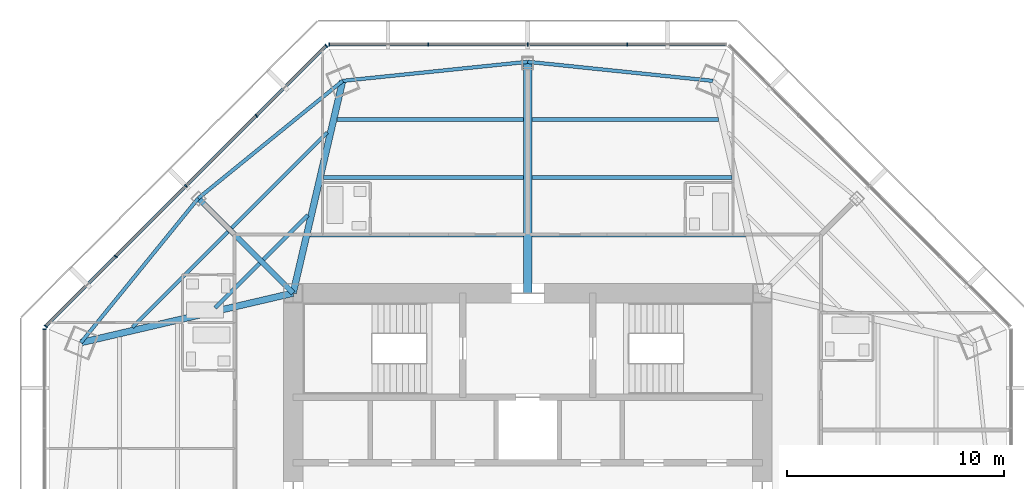
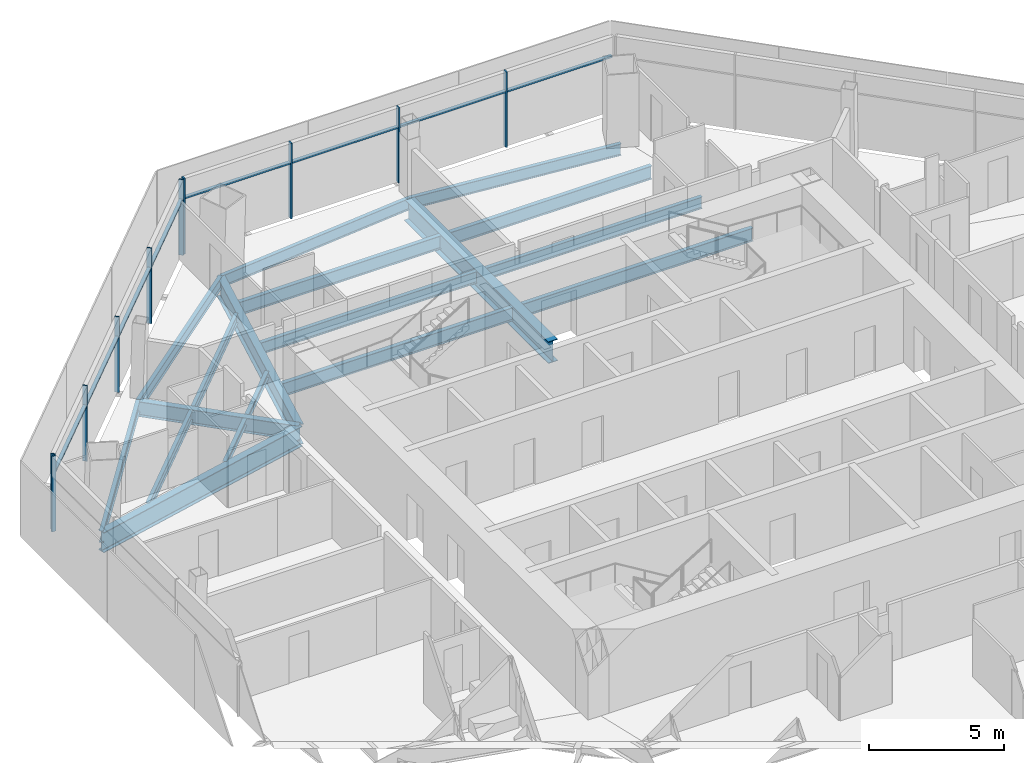
# One storey, part 5 of 15: 18 beams, 18 members, 3 elements without a shape of their own.
"""IFC4 building model written with IfcOpenShell, lengths in metres."""

from ifc_helpers import new_model, si_unit, direction, frame, origin, origin_2d, place, context, subcontext, project, spatial, rectangle, i_section, extrude, source, transform, mapped, material, material_profile, profile_set, type_object, type_shapes, element, aggregate, save


model = new_model("IFC4")

# Units and contexts
model_context = context("Model", 3, precision=1e-05, world=origin(), true_north=direction((0.0, 1.0)))
body_context = subcontext(model_context, "Body", "Model", "MODEL_VIEW")
ifc_project = project(units=[si_unit("LENGTHUNIT", "METRE"), si_unit("AREAUNIT", "SQUARE_METRE"), si_unit("VOLUMEUNIT", "CUBIC_METRE"), si_unit("PLANEANGLEUNIT", "RADIAN"), si_unit("MASSUNIT", "GRAM", prefix="KILO")], contexts=[model_context])

# Site, building, storey
site_placement = place(None, origin())
site = spatial("IfcSite", under=ifc_project, at=site_placement, CompositionType="ELEMENT")
building_placement = place(site_placement, origin())
building = spatial("IfcBuilding", under=site, at=building_placement, Name="Mashrafa Tower", CompositionType="ELEMENT")
storey_placement = place(building_placement, frame((0.0, 0.0, 204.0)))
storey = spatial("IfcBuildingStorey", under=building, at=storey_placement, Name="L46", CompositionType="ELEMENT", Elevation=204.0)

# Beams
ifc_material_1 = material(Name="Steel ASTM A992", Category="steel")
ifc_material_profile_1 = material_profile(ifc_material_1, i_section(OverallWidth=0.164794921875, OverallDepth=0.309814453125, WebThickness=0.005859375, FlangeThickness=0.009765625, FilletRadius=0.007568359375, at=origin_2d()), Name="W12X26")
ifc_profile_set_1 = profile_set([ifc_material_profile_1], Name="Steel ASTM A992")
beam_type_1 = type_object("IfcBeamType", Name="Beam W12X26", PredefinedType="BEAM", material=ifc_profile_set_1)
for number, where, z_axis, x_axis, name in (
    (1, (-14.392822265625, 10.118408203125, -0.35498046875), (0.707064622488, 0.707148937372, 0.0), (-0.707148937372, 0.707064622488, 0.0), "Floor beam L46 006"),
    (2, (-12.166015625, 12.345458984375, -0.35498046875), (0.707148937372, 0.707064622488, 0.0), (-0.707064622488, 0.707148937372, 0.0), "Floor beam L46 012"),
):
    element("IfcBeam", number, at=place(storey_placement, frame(where, z_axis=z_axis, x_axis=x_axis)), inside=storey, type_object=beam_type_1, Name=name, PredefinedType="BEAM", context=body_context, shape_type="SweptSolid", body=[
        extrude(i_section(OverallWidth=0.164794921875, OverallDepth=0.309814453125, WebThickness=0.005859375, FlangeThickness=0.009765625, FilletRadius=0.007568359375, at=origin_2d()), origin(), (0.0, 0.0, 1.0), 2.8955078125),
    ])
ifc_material_2 = material(Name="Steel ASTM A992", Category="steel")
ifc_material_profile_2 = material_profile(ifc_material_2, i_section(OverallWidth=0.15234375, OverallDepth=0.449462890625, WebThickness=0.007568359375, FlangeThickness=0.0107421875, FilletRadius=0.01025390625, at=origin_2d()), Name="W18X35")
ifc_profile_set_2 = profile_set([ifc_material_profile_2], Name="Steel ASTM A992")
beam_type_2 = type_object("IfcBeamType", Name="Beam W18X35", PredefinedType="BEAM", material=ifc_profile_set_2)
for number, where, z_axis, x_axis, name in (
    (3, (-18.18994140625, 9.23291015625, -0.4248046875), (0.707106781187, 0.707106781187, 0.0), (-0.707106781187, 0.707106781187, 0.0), "Floor beam L46 003"),
    (4, (-13.62158203125, 13.80126953125, -0.4248046875), (0.707106781187, 0.707106781187, 0.0), (-0.707106781187, 0.707106781187, 0.0), "Floor beam L46 008"),
):
    element("IfcBeam", number, at=place(storey_placement, frame(where, z_axis=z_axis, x_axis=x_axis)), inside=storey, type_object=beam_type_2, Name=name, PredefinedType="BEAM", context=body_context, shape_type="SweptSolid", body=[
        extrude(i_section(OverallWidth=0.15234375, OverallDepth=0.449462890625, WebThickness=0.007568359375, FlangeThickness=0.0107421875, FilletRadius=0.01025390625, at=origin_2d()), origin(), (0.0, 0.0, 1.0), 6.20654296875),
    ])
ifc_material_3 = material(Name="Steel ASTM A992", Category="steel")
ifc_material_profile_3 = material_profile(ifc_material_3, i_section(OverallWidth=0.1650390625, OverallDepth=0.52587890625, WebThickness=0.0087890625, FlangeThickness=0.011474609375, FilletRadius=0.0126953125, at=origin_2d()), Name="W21X44")
ifc_profile_set_3 = profile_set([ifc_material_profile_3], Name="Steel ASTM A992")
beam_type_3 = type_object("IfcBeamType", Name="Beam W21X44", PredefinedType="BEAM", material=ifc_profile_set_3)
for number, where, z_axis, x_axis, name in (
    (5, (-9.401611328125, 16.124755859375, -0.462890625), (1.0, 0.0, 0.0), (0.0, 1.0, 0.0), "Floor beam L46 015"),
    (6, (0.20068359375, 16.124755859375, -0.462890625), (1.0, 0.0, 0.0), (0.0, 1.0, 0.0), "Floor beam L46 022"),
):
    element("IfcBeam", number, at=place(storey_placement, frame(where, z_axis=z_axis, x_axis=x_axis)), inside=storey, type_object=beam_type_3, Name=name, PredefinedType="BEAM", context=body_context, shape_type="SweptSolid", body=[
        extrude(i_section(OverallWidth=0.1650390625, OverallDepth=0.52587890625, WebThickness=0.0087890625, FlangeThickness=0.011474609375, FilletRadius=0.0126953125, at=origin_2d()), origin(), (0.0, 0.0, 1.0), 9.200927734375),
    ])
for number, where, z_axis, x_axis, name in (
    (7, (-15.1669921875, 15.1669921875, -0.462890625), (-0.630903741036, -0.775861114857, 0.0), (0.775861114857, -0.630903741036, 0.0), "Spandrel beam L46 061"),
    (8, (-8.52099609375, 20.5712890625, -0.462890625), (-0.775861114857, -0.630903741036, 0.0), (0.630903741036, -0.775861114857, 0.0), "Spandrel beam L46 063"),
):
    element("IfcBeam", number, at=place(storey_placement, frame(where, z_axis=z_axis, x_axis=x_axis)), inside=storey, type_object=beam_type_3, Name=name, PredefinedType="BEAM", context=body_context, shape_type="SweptSolid", body=[
        extrude(i_section(OverallWidth=0.1650390625, OverallDepth=0.52587890625, WebThickness=0.0087890625, FlangeThickness=0.011474609375, FilletRadius=0.0126953125, at=origin_2d()), origin(), (0.0, 0.0, 1.0), 8.56591796875),
    ])
for number, where, z_axis, x_axis, name in (
    (9, (0.0, 21.449462890625, -0.462890625), (-0.99473125256, -0.102516999469, 0.0), (0.102516999469, -0.99473125256, 0.0), "Spandrel beam L46 065"),
    (10, (8.52099609375, 20.5712890625, -0.462890625), (-0.99473125256, 0.102516999469, 0.0), (-0.102516999469, -0.99473125256, 0.0), "Spandrel beam L46 067"),
):
    element("IfcBeam", number, at=place(storey_placement, frame(where, z_axis=z_axis, x_axis=x_axis)), inside=storey, type_object=beam_type_3, Name=name, PredefinedType="BEAM", context=body_context, shape_type="SweptSolid", body=[
        extrude(i_section(OverallWidth=0.1650390625, OverallDepth=0.52587890625, WebThickness=0.0087890625, FlangeThickness=0.011474609375, FilletRadius=0.0126953125, at=origin_2d()), origin(), (0.0, 0.0, 1.0), 8.566162109375),
    ])
ifc_material_4 = material(Name="Steel ASTM A992", Category="steel")
ifc_material_profile_4 = material_profile(ifc_material_4, i_section(OverallWidth=0.177978515625, OverallDepth=0.599365234375, WebThickness=0.010009765625, FlangeThickness=0.012939453125, FilletRadius=0.012939453125, at=origin_2d()), Name="W24X55")
ifc_profile_set_4 = profile_set([ifc_material_profile_4], Name="Steel ASTM A992")
beam_type_4 = type_object("IfcBeamType", Name="Beam W24X55", PredefinedType="BEAM", material=ifc_profile_set_4)
beam_1_placement = place(storey_placement, frame((-10.0224609375, 13.46240234375, -0.499755859375), z_axis=(1.0, 0.0, 0.0), x_axis=(0.0, 1.0, 0.0)))
element("IfcBeam", 11, at=beam_1_placement, inside=storey, type_object=beam_type_4, Name="Floor beam L46 013", PredefinedType="BEAM", context=body_context, shape_type="SweptSolid", body=[
    extrude(i_section(OverallWidth=0.177978515625, OverallDepth=0.599365234375, WebThickness=0.010009765625, FlangeThickness=0.012939453125, FilletRadius=0.012939453125, at=origin_2d()), origin(), (0.0, 0.0, 1.0), 9.82177734375),
])
beam_2_placement = place(storey_placement, frame((-8.780517578125, 18.787109375, -0.499755859375), z_axis=(1.0, 0.0, 0.0), x_axis=(0.0, 1.0, 0.0)))
element("IfcBeam", 12, at=beam_2_placement, inside=storey, type_object=beam_type_4, Name="Floor beam L46 017", PredefinedType="BEAM", context=body_context, shape_type="SweptSolid", body=[
    extrude(i_section(OverallWidth=0.177978515625, OverallDepth=0.599365234375, WebThickness=0.010009765625, FlangeThickness=0.012939453125, FilletRadius=0.012939453125, at=origin_2d()), origin(), (0.0, 0.0, 1.0), 8.579833984375),
])
beam_3_placement = place(storey_placement, frame((0.20068359375, 13.46240234375, -0.499755859375), z_axis=(1.0, 0.0, 0.0), x_axis=(0.0, 1.0, 0.0)))
element("IfcBeam", 13, at=beam_3_placement, inside=storey, type_object=beam_type_4, Name="Floor beam L46 021", PredefinedType="BEAM", context=body_context, shape_type="SweptSolid", body=[
    extrude(i_section(OverallWidth=0.177978515625, OverallDepth=0.599365234375, WebThickness=0.010009765625, FlangeThickness=0.012939453125, FilletRadius=0.012939453125, at=origin_2d()), origin(), (0.0, 0.0, 1.0), 9.82177734375),
])
beam_4_placement = place(storey_placement, frame((0.20068359375, 18.787109375, -0.499755859375), z_axis=(1.0, 0.0, 0.0), x_axis=(0.0, 1.0, 0.0)))
element("IfcBeam", 14, at=beam_4_placement, inside=storey, type_object=beam_type_4, Name="Floor beam L46 023", PredefinedType="BEAM", context=body_context, shape_type="SweptSolid", body=[
    extrude(i_section(OverallWidth=0.177978515625, OverallDepth=0.599365234375, WebThickness=0.010009765625, FlangeThickness=0.012939453125, FilletRadius=0.012939453125, at=origin_2d()), origin(), (0.0, 0.0, 1.0), 8.579833984375),
])
ifc_material_5 = material(Name="Steel ASTM A992", Category="steel")
ifc_material_profile_5 = material_profile(ifc_material_5, i_section(OverallWidth=0.25390625, OverallDepth=0.67822265625, WebThickness=0.01171875, FlangeThickness=0.016357421875, FilletRadius=0.01513671875, at=origin_2d()), Name="W27X84")
ifc_profile_set_5 = profile_set([ifc_material_profile_5], Name="Steel ASTM A992")
beam_type_5 = type_object("IfcBeamType", Name="Beam W27X84", PredefinedType="BEAM", material=ifc_profile_set_5)
beam_5_placement = place(storey_placement, frame((-10.800048828125, 10.800048828125, -0.5390625), z_axis=(-0.707106781187, 0.707106781187, 0.0), x_axis=(-0.707106781187, -0.707106781187, 0.0)))
element("IfcBeam", 15, at=beam_5_placement, inside=storey, type_object=beam_type_5, Name="Radial girder L46 046", PredefinedType="BEAM", context=body_context, shape_type="SweptSolid", body=[
    extrude(i_section(OverallWidth=0.25390625, OverallDepth=0.67822265625, WebThickness=0.01171875, FlangeThickness=0.016357421875, FilletRadius=0.01513671875, at=origin_2d()), origin(), (0.0, 0.0, 1.0), 6.17578125),
])
ifc_material_6 = material(Name="Steel ASTM A992", Category="steel")
ifc_material_profile_6 = material_profile(ifc_material_6, i_section(OverallWidth=0.3046875, OverallDepth=0.911865234375, WebThickness=0.015869140625, FlangeThickness=0.02392578125, FilletRadius=0.01904296875, at=origin_2d()), Name="W36X150")
ifc_profile_set_6 = profile_set([ifc_material_profile_6], Name="Steel ASTM A992")
beam_type_6 = type_object("IfcBeamType", Name="Beam W36X150", PredefinedType="BEAM", material=ifc_profile_set_6)
for number, where, z_axis, x_axis, name in (
    (16, (-10.800048828125, 10.800048828125, -0.656005859375), (-0.973861128424, -0.227144232912, 0.0), (0.227144232912, -0.973861128424, 0.0), "Radial girder L46 045"),
    (17, (-10.800048828125, 10.800048828125, -0.656005859375), (0.227144232912, 0.973861128424, 0.0), (-0.973861128424, 0.227144232912, 0.0), "Radial girder L46 047"),
):
    element("IfcBeam", number, at=place(storey_placement, frame(where, z_axis=z_axis, x_axis=x_axis)), inside=storey, type_object=beam_type_6, Name=name, PredefinedType="BEAM", context=body_context, shape_type="SweptSolid", body=[
        extrude(i_section(OverallWidth=0.3046875, OverallDepth=0.911865234375, WebThickness=0.015869140625, FlangeThickness=0.02392578125, FilletRadius=0.01904296875, at=origin_2d()), origin(), (0.0, 0.0, 1.0), 10.033447265625),
    ])
ifc_material_7 = material(Name="Steel ASTM A992", Category="steel")
ifc_material_profile_7 = material_profile(ifc_material_7, i_section(OverallWidth=0.4013671875, OverallDepth=0.98291015625, WebThickness=0.0166015625, FlangeThickness=0.027099609375, FilletRadius=0.0126953125, at=origin_2d()), Name="W40X199")
ifc_profile_set_7 = profile_set([ifc_material_profile_7], Name="Steel ASTM A992")
beam_type_7 = type_object("IfcBeamType", Name="Beam W40X199", PredefinedType="BEAM", material=ifc_profile_set_7)
beam_6_placement = place(storey_placement, frame((0.0, 10.800048828125, -0.69140625), z_axis=(0.0, 1.0, 0.0), x_axis=(-1.0, 0.0, 0.0)))
element("IfcBeam", 18, at=beam_6_placement, inside=storey, type_object=beam_type_7, Name="Radial girder L46 049", PredefinedType="BEAM", context=body_context, shape_type="SweptSolid", body=[
    extrude(i_section(OverallWidth=0.4013671875, OverallDepth=0.98291015625, WebThickness=0.0166015625, FlangeThickness=0.027099609375, FilletRadius=0.0126953125, at=origin_2d()), origin(), (0.0, 0.0, 1.0), 10.6494140625),
])

# Curtain wall, members
ifc_material_8 = material(Name="Unitised aluminium curtain wall", Category="aluminium")
curtain_wall_type = type_object("IfcCurtainWallType", Name="Apartment curtain wall, zone 3 CW-C 180 deep", PredefinedType="NOTDEFINED", material=ifc_material_8)
curtain_wall_1_placement = place(storey_placement, origin())
curtain_wall_1 = element("IfcCurtainWall", 19, at=curtain_wall_1_placement, inside=storey, type_object=curtain_wall_type, Name="Apartment curtain wall, zone 3 L46 north", PredefinedType="NOTDEFINED")
ifc_material_9 = material(Name="Extruded aluminium mullion", Category="aluminium")
ifc_material_profile_8 = material_profile(ifc_material_9, rectangle(XDim=0.179931640625, YDim=0.06005859375, at=origin_2d()), Name="Mullion 60x180")
ifc_profile_set_8 = profile_set([ifc_material_profile_8], Name="Extruded aluminium mullion")
member_type_1 = type_object("IfcMemberType", Name="Mullion CW-C 60 x 180", PredefinedType="MULLION", material=ifc_profile_set_8)
shared_shape_1 = source(origin(), body_context, "Body", "SweptSolid", [
    extrude(rectangle(XDim=0.179931640625, YDim=0.06005859375, at=origin_2d()), origin(), (0.0, 0.0, 1.0), 3.39990234375),
])
type_shapes(member_type_1, [shared_shape_1])
member_1_placement = place(storey_placement, frame((4.583251953125, 22.243896484375, 0.0), z_axis=(0.0, 0.0, 1.0), x_axis=(0.0, -1.0, 0.0)))
member_1 = element("IfcMember", 20, at=member_1_placement, type_object=member_type_1, Name="CW-C mullion 2", PredefinedType="MULLION", context=body_context, shape_type="MappedRepresentation", body=[
    mapped(shared_shape_1, transform((0.0, 0.0, 0.0))),
])
member_2_placement = place(storey_placement, frame((0.0, 22.243896484375, 0.0), z_axis=(0.0, 0.0, 1.0), x_axis=(0.0, -1.0, 0.0)))
member_2 = element("IfcMember", 21, at=member_2_placement, type_object=member_type_1, Name="CW-C mullion 3", PredefinedType="MULLION", context=body_context, shape_type="MappedRepresentation", body=[
    mapped(shared_shape_1, transform((0.0, 0.0, 0.0))),
])
member_3_placement = place(storey_placement, frame((-4.583251953125, 22.243896484375, 0.0), z_axis=(0.0, 0.0, 1.0), x_axis=(0.0, -1.0, 0.0)))
member_3 = element("IfcMember", 22, at=member_3_placement, type_object=member_type_1, Name="CW-C mullion 4", PredefinedType="MULLION", context=body_context, shape_type="MappedRepresentation", body=[
    mapped(shared_shape_1, transform((0.0, 0.0, 0.0))),
])
member_4_placement = place(storey_placement, frame((-9.136474609375, 22.243896484375, 0.0), z_axis=(0.0, 0.0, 1.0), x_axis=(0.0, -1.0, 0.0)))
member_4 = element("IfcMember", 23, at=member_4_placement, type_object=member_type_1, Name="CW-C mullion 5", PredefinedType="MULLION", context=body_context, shape_type="MappedRepresentation", body=[
    mapped(shared_shape_1, transform((0.0, 0.0, 0.0))),
])

curtain_wall_2_placement = place(storey_placement, origin())
curtain_wall_2 = element("IfcCurtainWall", 24, at=curtain_wall_2_placement, inside=storey, type_object=curtain_wall_type, Name="Apartment curtain wall, zone 3 L46 north-west", PredefinedType="NOTDEFINED")
member_5_placement = place(storey_placement, frame((-9.268310546875, 22.189208984375, 0.0), z_axis=(0.0, 0.0, 1.0), x_axis=(0.707106781187, -0.707106781187, 0.0)))
member_5 = element("IfcMember", 25, at=member_5_placement, type_object=member_type_1, Name="CW-C mullion 1", PredefinedType="MULLION", context=body_context, shape_type="MappedRepresentation", body=[
    mapped(shared_shape_1, transform((0.0, 0.0, 0.0))),
])
member_6_placement = place(storey_placement, frame((-12.488037109375, 18.969482421875, 0.0), z_axis=(0.0, 0.0, 1.0), x_axis=(0.707106781187, -0.707106781187, 0.0)))
member_6 = element("IfcMember", 26, at=member_6_placement, type_object=member_type_1, Name="CW-C mullion 2", PredefinedType="MULLION", context=body_context, shape_type="MappedRepresentation", body=[
    mapped(shared_shape_1, transform((0.0, 0.0, 0.0))),
])
member_7_placement = place(storey_placement, frame((-15.728759765625, 15.728759765625, 0.0), z_axis=(0.0, 0.0, 1.0), x_axis=(0.707106781187, -0.707106781187, 0.0)))
member_7 = element("IfcMember", 27, at=member_7_placement, type_object=member_type_1, Name="CW-C mullion 3", PredefinedType="MULLION", context=body_context, shape_type="MappedRepresentation", body=[
    mapped(shared_shape_1, transform((0.0, 0.0, 0.0))),
])
member_8_placement = place(storey_placement, frame((-18.969482421875, 12.488037109375, 0.0), z_axis=(0.0, 0.0, 1.0), x_axis=(0.707106781187, -0.707106781187, 0.0)))
member_8 = element("IfcMember", 28, at=member_8_placement, type_object=member_type_1, Name="CW-C mullion 4", PredefinedType="MULLION", context=body_context, shape_type="MappedRepresentation", body=[
    mapped(shared_shape_1, transform((0.0, 0.0, 0.0))),
])
member_9_placement = place(storey_placement, frame((-22.189208984375, 9.268310546875, 0.0), z_axis=(0.0, 0.0, 1.0), x_axis=(0.707106781187, -0.707106781187, 0.0)))
member_9 = element("IfcMember", 29, at=member_9_placement, type_object=member_type_1, Name="CW-C mullion 5", PredefinedType="MULLION", context=body_context, shape_type="MappedRepresentation", body=[
    mapped(shared_shape_1, transform((0.0, 0.0, 0.0))),
])

# Curtain wall, member
curtain_wall_3_placement = place(storey_placement, origin())
curtain_wall_3 = element("IfcCurtainWall", 30, at=curtain_wall_3_placement, inside=storey, type_object=curtain_wall_type, Name="Apartment curtain wall, zone 3 L46 west", PredefinedType="NOTDEFINED")
member_10_placement = place(storey_placement, frame((-22.243896484375, 9.136474609375, 0.0), z_axis=(0.0, 0.0, 1.0), x_axis=(1.0, 0.0, 0.0)))
member_10 = element("IfcMember", 31, at=member_10_placement, type_object=member_type_1, Name="CW-C mullion 1", PredefinedType="MULLION", context=body_context, shape_type="MappedRepresentation", body=[
    mapped(shared_shape_1, transform((0.0, 0.0, 0.0))),
])
aggregate(curtain_wall_3, [member_10])

# Member
ifc_material_10 = material(Name="Extruded aluminium transom", Category="aluminium")
ifc_material_profile_9 = material_profile(ifc_material_10, rectangle(XDim=0.14404296875, YDim=0.074951171875, at=origin_2d()), Name="Transom 75x144")
ifc_profile_set_9 = profile_set([ifc_material_profile_9], Name="Extruded aluminium transom")
member_type_2 = type_object("IfcMemberType", Name="Transom CW-C 75 x 144", PredefinedType="MULLION", material=ifc_profile_set_9)
shared_shape_2 = source(origin(), body_context, "Body", "SweptSolid", [
    extrude(rectangle(XDim=0.14404296875, YDim=0.074951171875, at=origin_2d()), origin(), (0.0, 0.0, 1.0), 4.4931640625),
])
member_11_placement = place(storey_placement, frame((9.1064453125, 22.243896484375, 2.5), z_axis=(-1.0, 0.0, 0.0), x_axis=(0.0, -1.0, 0.0)))
member_11 = element("IfcMember", 32, at=member_11_placement, type_object=member_type_2, Name="CW-C transom 1", PredefinedType="MULLION", context=body_context, shape_type="MappedRepresentation", body=[
    mapped(shared_shape_2, transform((0.0, 0.0, 0.0))),
])

member_12_placement = place(storey_placement, frame((-4.61328125, 22.243896484375, 2.5), z_axis=(-1.0, 0.0, 0.0), x_axis=(0.0, -1.0, 0.0)))
member_12 = element("IfcMember", 33, at=member_12_placement, type_object=member_type_2, Name="CW-C transom 4", PredefinedType="MULLION", context=body_context, shape_type="MappedRepresentation", body=[
    mapped(shared_shape_2, transform((0.0, 0.0, 0.0))),
])

shared_shape_3 = source(origin(), body_context, "Body", "SweptSolid", [
    extrude(rectangle(XDim=0.14404296875, YDim=0.074951171875, at=origin_2d()), origin(), (0.0, 0.0, 1.0), 4.523193359375),
])
member_13_placement = place(storey_placement, frame((4.55322265625, 22.243896484375, 2.5), z_axis=(-1.0, 0.0, 0.0), x_axis=(0.0, -1.0, 0.0)))
member_13 = element("IfcMember", 34, at=member_13_placement, type_object=member_type_2, Name="CW-C transom 2", PredefinedType="MULLION", context=body_context, shape_type="MappedRepresentation", body=[
    mapped(shared_shape_3, transform((0.0, 0.0, 0.0))),
])

member_14_placement = place(storey_placement, frame((-0.030029296875, 22.243896484375, 2.5), z_axis=(-1.0, 0.0, 0.0), x_axis=(0.0, -1.0, 0.0)))
member_14 = element("IfcMember", 35, at=member_14_placement, type_object=member_type_2, Name="CW-C transom 3", PredefinedType="MULLION", context=body_context, shape_type="MappedRepresentation", body=[
    mapped(shared_shape_3, transform((0.0, 0.0, 0.0))),
])

aggregate(curtain_wall_1, [member_1, member_2, member_3, member_4, member_11, member_13, member_14, member_12])

member_15_placement = place(storey_placement, frame((-12.50927734375, 18.948486328125, 2.5), z_axis=(-0.707079792893, -0.70713376845, 0.0), x_axis=(0.70713376845, -0.707079792893, 0.0)))
member_15 = element("IfcMember", 36, at=member_15_placement, type_object=member_type_2, Name="CW-C transom 2", PredefinedType="MULLION", context=body_context, shape_type="MappedRepresentation", body=[
    mapped(shared_shape_3, transform((0.0, 0.0, 0.0))),
])

member_16_placement = place(storey_placement, frame((-15.75, 15.70751953125, 2.5), z_axis=(-0.70713376845, -0.707079792893, 0.0), x_axis=(0.707079792893, -0.70713376845, 0.0)))
member_16 = element("IfcMember", 37, at=member_16_placement, type_object=member_type_2, Name="CW-C transom 3", PredefinedType="MULLION", context=body_context, shape_type="MappedRepresentation", body=[
    mapped(shared_shape_3, transform((0.0, 0.0, 0.0))),
])

shared_shape_4 = source(origin(), body_context, "Body", "SweptSolid", [
    extrude(rectangle(XDim=0.14404296875, YDim=0.074951171875, at=origin_2d()), origin(), (0.0, 0.0, 1.0), 4.493408203125),
])
type_shapes(member_type_2, [shared_shape_2, shared_shape_3, shared_shape_4])
member_17_placement = place(storey_placement, frame((-9.28955078125, 22.16796875, 2.5), z_axis=(-0.707106781187, -0.707106781187, 0.0), x_axis=(0.707106781187, -0.707106781187, 0.0)))
member_17 = element("IfcMember", 38, at=member_17_placement, type_object=member_type_2, Name="CW-C transom 1", PredefinedType="MULLION", context=body_context, shape_type="MappedRepresentation", body=[
    mapped(shared_shape_4, transform((0.0, 0.0, 0.0))),
])

member_18_placement = place(storey_placement, frame((-18.99072265625, 12.466796875, 2.5), z_axis=(-0.707106781187, -0.707106781187, 0.0), x_axis=(0.707106781187, -0.707106781187, 0.0)))
member_18 = element("IfcMember", 39, at=member_18_placement, type_object=member_type_2, Name="CW-C transom 4", PredefinedType="MULLION", context=body_context, shape_type="MappedRepresentation", body=[
    mapped(shared_shape_4, transform((0.0, 0.0, 0.0))),
])

aggregate(curtain_wall_2, [member_5, member_6, member_7, member_8, member_9, member_17, member_15, member_16, member_18])

save(model, "model.ifc")
